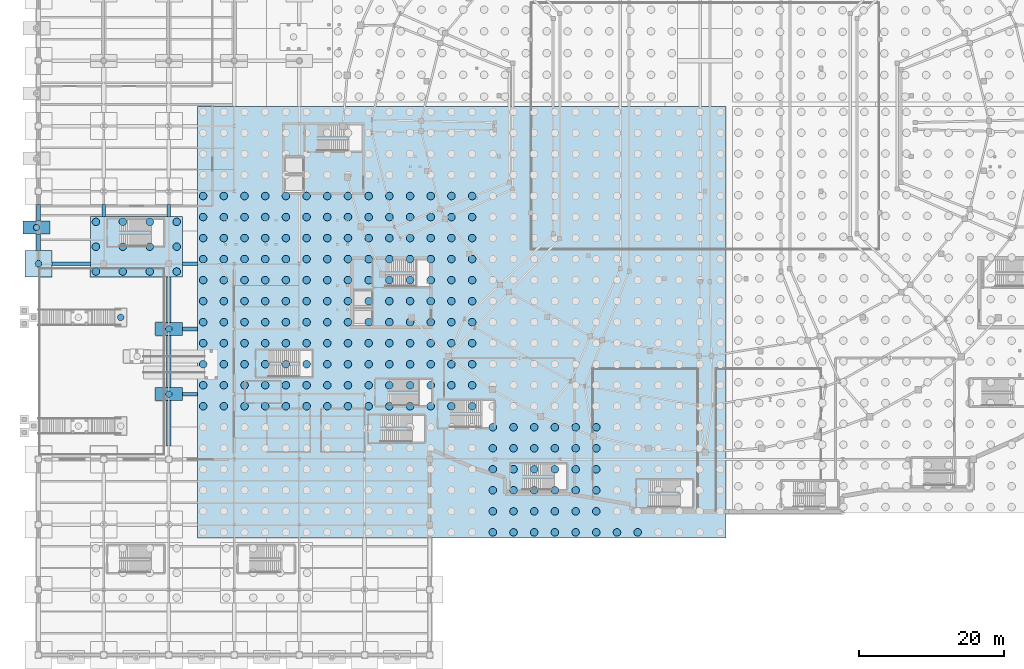
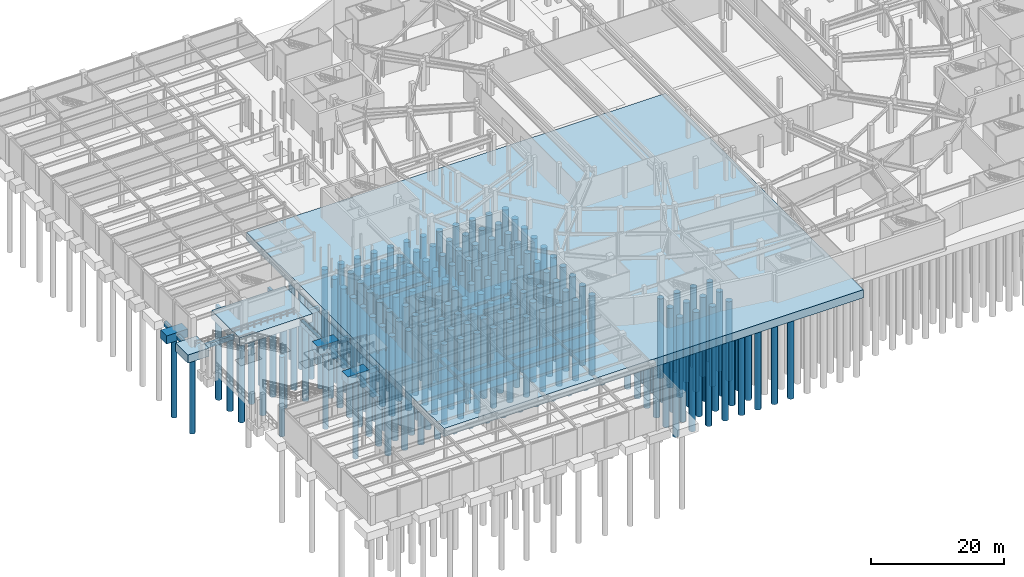
# One storey, part 2 of 56: 209 piles, 17 footings.
"""IFC4 building model written with IfcOpenShell, lengths in metres."""

from ifc_helpers import new_model, si_unit, direction, frame, origin, origin_2d, place, context, subcontext, project, spatial, polyline, rectangle, circle, outline, extrude, material, material_profile, profile_set, type_object, element, save


model = new_model("IFC4")

# Units and contexts
model_context = context("Model", 3, precision=1e-05, world=origin(), true_north=direction((0.0, 1.0)))
body_context = subcontext(model_context, "Body", "Model", "MODEL_VIEW")
ifc_project = project(units=[si_unit("LENGTHUNIT", "METRE"), si_unit("AREAUNIT", "SQUARE_METRE"), si_unit("VOLUMEUNIT", "CUBIC_METRE"), si_unit("PLANEANGLEUNIT", "RADIAN"), si_unit("MASSUNIT", "GRAM", prefix="KILO")], contexts=[model_context])

# Site, building, storey
site_placement = place(None, origin())
site = spatial("IfcSite", under=ifc_project, at=site_placement, CompositionType="ELEMENT")
building_placement = place(site_placement, origin())
building = spatial("IfcBuilding", under=site, at=building_placement, Name="Glasvene Arena", CompositionType="ELEMENT")
storey_placement = place(building_placement, frame((0.0, 0.0, -5.39990234375)))
storey = spatial("IfcBuildingStorey", under=building, at=storey_placement, Name="B1", CompositionType="ELEMENT", Elevation=-5.39990234375)

# Footings
ifc_material = material(Name="Concrete C40/50", Category="concrete")
footing_type_1 = type_object("IfcFootingType", Name="FT-FB-500x800", PredefinedType="FOOTING_BEAM", material=ifc_material)
for number, where, name in (
    (1, (0.0, 56.97509765625, -1.25), "Ground tie beam 0004"),
    (2, (0.0, 61.02490234375, -1.25), "Ground tie beam 0005"),
):
    element("IfcFooting", number, at=place(storey_placement, frame(where)), inside=storey, type_object=footing_type_1, Name=name, PredefinedType="FOOTING_BEAM", context=body_context, shape_type="SweptSolid", body=[
        extrude(outline(polyline([(-0.25, -1.125), (0.25, -1.125), (0.25, 1.125), (-0.25, 1.125), (-0.25, -1.125)])), origin(), (0.0, 0.0, 1.0), 0.7998046875),
    ])
for number, where, name in (
    (3, (9.0, 61.35009765625, -1.25), "Ground tie beam 0019"),
    (4, (18.0, 61.35009765625, -1.25), "Ground tie beam 0031"),
):
    element("IfcFooting", number, at=place(storey_placement, frame(where)), inside=storey, type_object=footing_type_1, Name=name, PredefinedType="FOOTING_BEAM", context=body_context, shape_type="SweptSolid", body=[
        extrude(outline(polyline([(-0.25, -0.800048828125), (0.25, -0.800048828125), (0.25, 0.7998046875), (-0.25, 0.7998046875), (-0.25, -0.800048828125)])), origin(), (0.0, 0.0, 1.0), 0.7998046875),
    ])
for number, where, name in (
    (5, (20.89990234375, 36.0, -1.25), "Ground tie beam 0090"),
    (6, (20.89990234375, 45.0, -1.25), "Ground tie beam 0091"),
):
    element("IfcFooting", number, at=place(storey_placement, frame(where)), inside=storey, type_object=footing_type_1, Name=name, PredefinedType="FOOTING_BEAM", context=body_context, shape_type="SweptSolid", body=[
        extrude(outline(polyline([(-1.0498046875, -0.25), (1.050048828125, -0.25), (1.050048828125, 0.25), (-1.0498046875, 0.25), (-1.0498046875, -0.25)])), origin(), (0.0, 0.0, 1.0), 0.7998046875),
    ])
footing_1_placement = place(storey_placement, frame((4.5, 54.0, -1.25)))
element("IfcFooting", 7, at=footing_1_placement, inside=storey, type_object=footing_type_1, Name="Ground tie beam 0092", PredefinedType="FOOTING_BEAM", context=body_context, shape_type="SweptSolid", body=[
    extrude(outline(polyline([(-2.64990234375, -0.25), (2.64990234375, -0.25), (2.64990234375, 0.25), (-2.64990234375, 0.25), (-2.64990234375, -0.25)])), origin(), (0.0, 0.0, 1.0), 0.7998046875),
])
footing_2_placement = place(storey_placement, frame((20.89990234375, 54.0, -1.25)))
element("IfcFooting", 8, at=footing_2_placement, inside=storey, type_object=footing_type_1, Name="Ground tie beam 0093", PredefinedType="FOOTING_BEAM", context=body_context, shape_type="SweptSolid", body=[
    extrude(outline(polyline([(-1.0498046875, -0.25), (1.050048828125, -0.25), (1.050048828125, 0.25), (-1.0498046875, 0.25), (-1.0498046875, -0.25)])), origin(), (0.0, 0.0, 1.0), 0.7998046875),
])
footing_type_2 = type_object("IfcFootingType", Name="FT-FB-600x900", PredefinedType="FOOTING_BEAM", material=ifc_material)
footing_3_placement = place(storey_placement, frame((18.0, 31.97509765625, -1.35009765625)))
element("IfcFooting", 9, at=footing_3_placement, inside=storey, type_object=footing_type_2, Name="Ground tie beam 0028", PredefinedType="FOOTING_BEAM", context=body_context, shape_type="SweptSolid", body=[
    extrude(outline(polyline([(-0.300048828125, -3.125), (0.300048828125, -3.125), (0.300048828125, 3.125), (-0.300048828125, 3.125), (-0.300048828125, -3.125)])), origin(), (0.0, 0.0, 1.0), 0.89990234375),
])
footing_4_placement = place(storey_placement, frame((18.0, 40.5, -1.35009765625)))
element("IfcFooting", 10, at=footing_4_placement, inside=storey, type_object=footing_type_2, Name="Ground tie beam 0029", PredefinedType="FOOTING_BEAM", context=body_context, shape_type="SweptSolid", body=[
    extrude(outline(polyline([(-0.300048828125, -3.60009765625), (0.300048828125, -3.60009765625), (0.300048828125, 3.60009765625), (-0.300048828125, 3.60009765625), (-0.300048828125, -3.60009765625)])), origin(), (0.0, 0.0, 1.0), 0.89990234375),
])
footing_5_placement = place(storey_placement, frame((18.0, 49.02490234375, -1.35009765625)))
element("IfcFooting", 11, at=footing_5_placement, inside=storey, type_object=footing_type_2, Name="Ground tie beam 0030", PredefinedType="FOOTING_BEAM", context=body_context, shape_type="SweptSolid", body=[
    extrude(outline(polyline([(-0.300048828125, -3.125), (0.300048828125, -3.125), (0.300048828125, 3.125), (-0.300048828125, 3.125), (-0.300048828125, -3.125)])), origin(), (0.0, 0.0, 1.0), 0.89990234375),
])
footing_type_3 = type_object("IfcFootingType", Name="FT-PC-1270x840", PredefinedType="PILE_CAP", material=ifc_material)
footing_6_placement = place(storey_placement, frame((13.5, 56.35009765625, -1.5), z_axis=(0.0, 0.0, 1.0), x_axis=(1.0, 0.0, 0.0)))
element("IfcFooting", 12, at=footing_6_placement, inside=storey, type_object=footing_type_3, Name="Pile cap 035", PredefinedType="PILE_CAP", context=body_context, shape_type="SweptSolid", body=[
    extrude(rectangle(XDim=12.699951171875, YDim=8.39990234375, at=origin_2d()), origin(), (0.0, 0.0, 1.0), 1.5),
])
footing_type_4 = type_object("IfcFootingType", Name="FT-PC-370x180", PredefinedType="PILE_CAP", material=ifc_material)
for number, where, z_axis, x_axis, name in (
    (13, (18.0, 36.0, -1.5), (0.0, 0.0, 1.0), (1.0, 0.0, 0.0), "Pile cap 029"),
    (14, (18.0, 45.0, -1.5), (0.0, 0.0, 1.0), (1.0, 0.0, 0.0), "Pile cap 031"),
    (15, (-0.260009765625, 59.0, -1.5), (0.0, 0.0, 1.0), (1.0, 0.0, 0.0), "Pile cap 038"),
):
    element("IfcFooting", number, at=place(storey_placement, frame(where, z_axis=z_axis, x_axis=x_axis)), inside=storey, type_object=footing_type_4, Name=name, PredefinedType="PILE_CAP", context=body_context, shape_type="SweptSolid", body=[
        extrude(rectangle(XDim=3.699951171875, YDim=1.800048828125, at=origin_2d()), origin(), (0.0, 0.0, 1.0), 1.5),
    ])
footing_type_5 = type_object("IfcFootingType", Name="FT-PC-370x370", PredefinedType="PILE_CAP", material=ifc_material)
footing_7_placement = place(storey_placement, frame((0.0, 54.0, -1.5), z_axis=(0.0, 0.0, 1.0), x_axis=(1.0, 0.0, 0.0)))
element("IfcFooting", 16, at=footing_7_placement, inside=storey, type_object=footing_type_5, Name="Pile cap 034", PredefinedType="PILE_CAP", context=body_context, shape_type="SweptSolid", body=[
    extrude(rectangle(XDim=3.699951171875, YDim=3.699951171875, at=origin_2d()), origin(), (0.0, 0.0, 1.0), 1.5),
])
footing_type_6 = type_object("IfcFootingType", Name="FT-PC-7294x5957", PredefinedType="PILE_CAP", material=ifc_material)
footing_8_placement = place(storey_placement, frame((58.422119140625, 45.93701171875, -1.5), z_axis=(0.0, 0.0, 1.0), x_axis=(1.0, 0.0, 0.0)))
element("IfcFooting", 17, at=footing_8_placement, inside=storey, type_object=footing_type_6, Name="Pile cap 022", PredefinedType="PILE_CAP", context=body_context, shape_type="SweptSolid", body=[
    extrude(rectangle(XDim=72.944091796875, YDim=59.573974609375, at=origin_2d()), origin(), (0.0, 0.0, 1.0), 1.5),
])

# Piles
ifc_material_profile_1 = material_profile(ifc_material, circle(Radius=0.52490234375, at=origin_2d()), Name="BORED PILE 1050")
ifc_profile_set_1 = profile_set([ifc_material_profile_1], Name="Concrete C40/50")
pile_type_1 = type_object("IfcPileType", Name="PL-BP1050", PredefinedType="BORED", material=ifc_profile_set_1)
for number, where, z_axis, x_axis, name in (
    (18, (22.72509765625, 34.332275390625, -1.35009765625), (0.0, 0.0, -1.0), (1.0, 0.0, 0.0), "Bored pile 0050"),
    (19, (22.72509765625, 37.2333984375, -1.35009765625), (0.0, 0.0, -1.0), (1.0, 0.0, 0.0), "Bored pile 0051"),
    (20, (22.72509765625, 40.134521484375, -1.35009765625), (0.0, 0.0, -1.0), (1.0, 0.0, 0.0), "Bored pile 0052"),
    (21, (22.72509765625, 43.035888671875, -1.35009765625), (0.0, 0.0, -1.0), (1.0, 0.0, 0.0), "Bored pile 0053"),
    (22, (22.72509765625, 45.93701171875, -1.35009765625), (0.0, 0.0, -1.0), (1.0, 0.0, 0.0), "Bored pile 0054"),
    (23, (22.72509765625, 48.838134765625, -1.35009765625), (0.0, 0.0, -1.0), (1.0, 0.0, 0.0), "Bored pile 0055"),
    (24, (22.72509765625, 51.739501953125, -1.35009765625), (0.0, 0.0, -1.0), (1.0, 0.0, 0.0), "Bored pile 0056"),
    (25, (22.72509765625, 54.640625, -1.35009765625), (0.0, 0.0, -1.0), (1.0, 0.0, 0.0), "Bored pile 0057"),
    (26, (22.72509765625, 57.541748046875, -1.35009765625), (0.0, 0.0, -1.0), (1.0, 0.0, 0.0), "Bored pile 0058"),
    (27, (22.72509765625, 60.443115234375, -1.35009765625), (0.0, 0.0, -1.0), (1.0, 0.0, 0.0), "Bored pile 0059"),
    (28, (22.72509765625, 63.34423828125, -1.35009765625), (0.0, 0.0, -1.0), (1.0, 0.0, 0.0), "Bored pile 0060"),
    (29, (25.580810546875, 34.332275390625, -1.35009765625), (0.0, 0.0, -1.0), (1.0, 0.0, 0.0), "Bored pile 0071"),
    (30, (25.580810546875, 37.2333984375, -1.35009765625), (0.0, 0.0, -1.0), (1.0, 0.0, 0.0), "Bored pile 0072"),
    (31, (25.580810546875, 40.134521484375, -1.35009765625), (0.0, 0.0, -1.0), (1.0, 0.0, 0.0), "Bored pile 0073"),
    (32, (25.580810546875, 43.035888671875, -1.35009765625), (0.0, 0.0, -1.0), (1.0, 0.0, 0.0), "Bored pile 0074"),
    (33, (25.580810546875, 45.93701171875, -1.35009765625), (0.0, 0.0, -1.0), (1.0, 0.0, 0.0), "Bored pile 0075"),
    (34, (25.580810546875, 48.838134765625, -1.35009765625), (0.0, 0.0, -1.0), (1.0, 0.0, 0.0), "Bored pile 0076"),
    (35, (25.580810546875, 51.739501953125, -1.35009765625), (0.0, 0.0, -1.0), (1.0, 0.0, 0.0), "Bored pile 0077"),
    (36, (25.580810546875, 54.640625, -1.35009765625), (0.0, 0.0, -1.0), (1.0, 0.0, 0.0), "Bored pile 0078"),
    (37, (25.580810546875, 57.541748046875, -1.35009765625), (0.0, 0.0, -1.0), (1.0, 0.0, 0.0), "Bored pile 0079"),
    (38, (25.580810546875, 60.443115234375, -1.35009765625), (0.0, 0.0, -1.0), (1.0, 0.0, 0.0), "Bored pile 0080"),
    (39, (25.580810546875, 63.34423828125, -1.35009765625), (0.0, 0.0, -1.0), (1.0, 0.0, 0.0), "Bored pile 0081"),
    (40, (28.4365234375, 34.332275390625, -1.35009765625), (0.0, 0.0, -1.0), (1.0, 0.0, 0.0), "Bored pile 0092"),
    (41, (28.4365234375, 37.2333984375, -1.35009765625), (0.0, 0.0, -1.0), (1.0, 0.0, 0.0), "Bored pile 0093"),
    (42, (28.4365234375, 40.134521484375, -1.35009765625), (0.0, 0.0, -1.0), (1.0, 0.0, 0.0), "Bored pile 0094"),
    (43, (28.4365234375, 43.035888671875, -1.35009765625), (0.0, 0.0, -1.0), (1.0, 0.0, 0.0), "Bored pile 0095"),
    (44, (28.4365234375, 45.93701171875, -1.35009765625), (0.0, 0.0, -1.0), (1.0, 0.0, 0.0), "Bored pile 0096"),
    (45, (28.4365234375, 48.838134765625, -1.35009765625), (0.0, 0.0, -1.0), (1.0, 0.0, 0.0), "Bored pile 0097"),
    (46, (28.4365234375, 51.739501953125, -1.35009765625), (0.0, 0.0, -1.0), (1.0, 0.0, 0.0), "Bored pile 0098"),
    (47, (28.4365234375, 54.640625, -1.35009765625), (0.0, 0.0, -1.0), (1.0, 0.0, 0.0), "Bored pile 0099"),
    (48, (28.4365234375, 57.541748046875, -1.35009765625), (0.0, 0.0, -1.0), (1.0, 0.0, 0.0), "Bored pile 0100"),
    (49, (28.4365234375, 60.443115234375, -1.35009765625), (0.0, 0.0, -1.0), (1.0, 0.0, 0.0), "Bored pile 0101"),
    (50, (28.4365234375, 63.34423828125, -1.35009765625), (0.0, 0.0, -1.0), (1.0, 0.0, 0.0), "Bored pile 0102"),
    (51, (31.292236328125, 34.332275390625, -1.35009765625), (0.0, 0.0, -1.0), (1.0, 0.0, 0.0), "Bored pile 0113"),
    (52, (31.292236328125, 37.2333984375, -1.35009765625), (0.0, 0.0, -1.0), (1.0, 0.0, 0.0), "Bored pile 0114"),
    (53, (31.292236328125, 40.134521484375, -1.35009765625), (0.0, 0.0, -1.0), (1.0, 0.0, 0.0), "Bored pile 0115"),
    (54, (31.292236328125, 43.035888671875, -1.35009765625), (0.0, 0.0, -1.0), (1.0, 0.0, 0.0), "Bored pile 0116"),
    (55, (31.292236328125, 45.93701171875, -1.35009765625), (0.0, 0.0, -1.0), (1.0, 0.0, 0.0), "Bored pile 0117"),
    (56, (31.292236328125, 48.838134765625, -1.35009765625), (0.0, 0.0, -1.0), (1.0, 0.0, 0.0), "Bored pile 0118"),
    (57, (31.292236328125, 51.739501953125, -1.35009765625), (0.0, 0.0, -1.0), (1.0, 0.0, 0.0), "Bored pile 0119"),
    (58, (31.292236328125, 54.640625, -1.35009765625), (0.0, 0.0, -1.0), (1.0, 0.0, 0.0), "Bored pile 0120"),
    (59, (31.292236328125, 57.541748046875, -1.35009765625), (0.0, 0.0, -1.0), (1.0, 0.0, 0.0), "Bored pile 0121"),
    (60, (31.292236328125, 60.443115234375, -1.35009765625), (0.0, 0.0, -1.0), (1.0, 0.0, 0.0), "Bored pile 0122"),
    (61, (31.292236328125, 63.34423828125, -1.35009765625), (0.0, 0.0, -1.0), (1.0, 0.0, 0.0), "Bored pile 0123"),
    (62, (34.14794921875, 34.332275390625, -1.35009765625), (0.0, 0.0, -1.0), (1.0, 0.0, 0.0), "Bored pile 0134"),
    (63, (34.14794921875, 37.2333984375, -1.35009765625), (0.0, 0.0, -1.0), (1.0, 0.0, 0.0), "Bored pile 0135"),
    (64, (34.14794921875, 40.134521484375, -1.35009765625), (0.0, 0.0, -1.0), (1.0, 0.0, 0.0), "Bored pile 0136"),
    (65, (34.14794921875, 43.035888671875, -1.35009765625), (0.0, 0.0, -1.0), (1.0, 0.0, 0.0), "Bored pile 0137"),
    (66, (34.14794921875, 45.93701171875, -1.35009765625), (0.0, 0.0, -1.0), (1.0, 0.0, 0.0), "Bored pile 0138"),
    (67, (34.14794921875, 48.838134765625, -1.35009765625), (0.0, 0.0, -1.0), (1.0, 0.0, 0.0), "Bored pile 0139"),
    (68, (34.14794921875, 51.739501953125, -1.35009765625), (0.0, 0.0, -1.0), (1.0, 0.0, 0.0), "Bored pile 0140"),
    (69, (34.14794921875, 54.640625, -1.35009765625), (0.0, 0.0, -1.0), (1.0, 0.0, 0.0), "Bored pile 0141"),
    (70, (34.14794921875, 57.541748046875, -1.35009765625), (0.0, 0.0, -1.0), (1.0, 0.0, 0.0), "Bored pile 0142"),
    (71, (34.14794921875, 60.443115234375, -1.35009765625), (0.0, 0.0, -1.0), (1.0, 0.0, 0.0), "Bored pile 0143"),
    (72, (34.14794921875, 63.34423828125, -1.35009765625), (0.0, 0.0, -1.0), (1.0, 0.0, 0.0), "Bored pile 0144"),
    (73, (37.00390625, 34.332275390625, -1.35009765625), (0.0, 0.0, -1.0), (1.0, 0.0, 0.0), "Bored pile 0155"),
    (74, (37.00390625, 37.2333984375, -1.35009765625), (0.0, 0.0, -1.0), (1.0, 0.0, 0.0), "Bored pile 0156"),
    (75, (37.00390625, 40.134521484375, -1.35009765625), (0.0, 0.0, -1.0), (1.0, 0.0, 0.0), "Bored pile 0157"),
    (76, (37.00390625, 43.035888671875, -1.35009765625), (0.0, 0.0, -1.0), (1.0, 0.0, 0.0), "Bored pile 0158"),
    (77, (37.00390625, 45.93701171875, -1.35009765625), (0.0, 0.0, -1.0), (1.0, 0.0, 0.0), "Bored pile 0159"),
    (78, (37.00390625, 48.838134765625, -1.35009765625), (0.0, 0.0, -1.0), (1.0, 0.0, 0.0), "Bored pile 0160"),
    (79, (37.00390625, 51.739501953125, -1.35009765625), (0.0, 0.0, -1.0), (1.0, 0.0, 0.0), "Bored pile 0161"),
    (80, (37.00390625, 54.640625, -1.35009765625), (0.0, 0.0, -1.0), (1.0, 0.0, 0.0), "Bored pile 0162"),
    (81, (37.00390625, 57.541748046875, -1.35009765625), (0.0, 0.0, -1.0), (1.0, 0.0, 0.0), "Bored pile 0163"),
    (82, (37.00390625, 60.443115234375, -1.35009765625), (0.0, 0.0, -1.0), (1.0, 0.0, 0.0), "Bored pile 0164"),
    (83, (37.00390625, 63.34423828125, -1.35009765625), (0.0, 0.0, -1.0), (1.0, 0.0, 0.0), "Bored pile 0165"),
    (84, (39.859619140625, 34.332275390625, -1.35009765625), (0.0, 0.0, -1.0), (1.0, 0.0, 0.0), "Bored pile 0176"),
    (85, (39.859619140625, 37.2333984375, -1.35009765625), (0.0, 0.0, -1.0), (1.0, 0.0, 0.0), "Bored pile 0177"),
    (86, (39.859619140625, 40.134521484375, -1.35009765625), (0.0, 0.0, -1.0), (1.0, 0.0, 0.0), "Bored pile 0178"),
    (87, (39.859619140625, 43.035888671875, -1.35009765625), (0.0, 0.0, -1.0), (1.0, 0.0, 0.0), "Bored pile 0179"),
    (88, (39.859619140625, 45.93701171875, -1.35009765625), (0.0, 0.0, -1.0), (1.0, 0.0, 0.0), "Bored pile 0180"),
    (89, (39.859619140625, 48.838134765625, -1.35009765625), (0.0, 0.0, -1.0), (1.0, 0.0, 0.0), "Bored pile 0181"),
    (90, (39.859619140625, 51.739501953125, -1.35009765625), (0.0, 0.0, -1.0), (1.0, 0.0, 0.0), "Bored pile 0182"),
    (91, (39.859619140625, 54.640625, -1.35009765625), (0.0, 0.0, -1.0), (1.0, 0.0, 0.0), "Bored pile 0183"),
    (92, (39.859619140625, 57.541748046875, -1.35009765625), (0.0, 0.0, -1.0), (1.0, 0.0, 0.0), "Bored pile 0184"),
    (93, (39.859619140625, 60.443115234375, -1.35009765625), (0.0, 0.0, -1.0), (1.0, 0.0, 0.0), "Bored pile 0185"),
    (94, (39.859619140625, 63.34423828125, -1.35009765625), (0.0, 0.0, -1.0), (1.0, 0.0, 0.0), "Bored pile 0186"),
    (95, (42.71533203125, 34.332275390625, -1.35009765625), (0.0, 0.0, -1.0), (1.0, 0.0, 0.0), "Bored pile 0197"),
    (96, (42.71533203125, 37.2333984375, -1.35009765625), (0.0, 0.0, -1.0), (1.0, 0.0, 0.0), "Bored pile 0198"),
    (97, (42.71533203125, 40.134521484375, -1.35009765625), (0.0, 0.0, -1.0), (1.0, 0.0, 0.0), "Bored pile 0199"),
    (98, (42.71533203125, 43.035888671875, -1.35009765625), (0.0, 0.0, -1.0), (1.0, 0.0, 0.0), "Bored pile 0200"),
    (99, (42.71533203125, 45.93701171875, -1.35009765625), (0.0, 0.0, -1.0), (1.0, 0.0, 0.0), "Bored pile 0201"),
    (100, (42.71533203125, 48.838134765625, -1.35009765625), (0.0, 0.0, -1.0), (1.0, 0.0, 0.0), "Bored pile 0202"),
    (101, (42.71533203125, 51.739501953125, -1.35009765625), (0.0, 0.0, -1.0), (1.0, 0.0, 0.0), "Bored pile 0203"),
    (102, (42.71533203125, 54.640625, -1.35009765625), (0.0, 0.0, -1.0), (1.0, 0.0, 0.0), "Bored pile 0204"),
    (103, (42.71533203125, 57.541748046875, -1.35009765625), (0.0, 0.0, -1.0), (1.0, 0.0, 0.0), "Bored pile 0205"),
    (104, (42.71533203125, 60.443115234375, -1.35009765625), (0.0, 0.0, -1.0), (1.0, 0.0, 0.0), "Bored pile 0206"),
    (105, (42.71533203125, 63.34423828125, -1.35009765625), (0.0, 0.0, -1.0), (1.0, 0.0, 0.0), "Bored pile 0207"),
    (106, (45.571044921875, 34.332275390625, -1.35009765625), (0.0, 0.0, -1.0), (1.0, 0.0, 0.0), "Bored pile 0218"),
    (107, (45.571044921875, 37.2333984375, -1.35009765625), (0.0, 0.0, -1.0), (1.0, 0.0, 0.0), "Bored pile 0219"),
    (108, (45.571044921875, 40.134521484375, -1.35009765625), (0.0, 0.0, -1.0), (1.0, 0.0, 0.0), "Bored pile 0220"),
    (109, (45.571044921875, 43.035888671875, -1.35009765625), (0.0, 0.0, -1.0), (1.0, 0.0, 0.0), "Bored pile 0221"),
    (110, (45.571044921875, 45.93701171875, -1.35009765625), (0.0, 0.0, -1.0), (1.0, 0.0, 0.0), "Bored pile 0222"),
    (111, (45.571044921875, 48.838134765625, -1.35009765625), (0.0, 0.0, -1.0), (1.0, 0.0, 0.0), "Bored pile 0223"),
    (112, (45.571044921875, 51.739501953125, -1.35009765625), (0.0, 0.0, -1.0), (1.0, 0.0, 0.0), "Bored pile 0224"),
    (113, (45.571044921875, 54.640625, -1.35009765625), (0.0, 0.0, -1.0), (1.0, 0.0, 0.0), "Bored pile 0225"),
    (114, (45.571044921875, 57.541748046875, -1.35009765625), (0.0, 0.0, -1.0), (1.0, 0.0, 0.0), "Bored pile 0226"),
    (115, (45.571044921875, 60.443115234375, -1.35009765625), (0.0, 0.0, -1.0), (1.0, 0.0, 0.0), "Bored pile 0227"),
    (116, (45.571044921875, 63.34423828125, -1.35009765625), (0.0, 0.0, -1.0), (1.0, 0.0, 0.0), "Bored pile 0228"),
    (117, (48.4267578125, 34.332275390625, -1.35009765625), (0.0, 0.0, -1.0), (1.0, 0.0, 0.0), "Bored pile 0239"),
    (118, (48.4267578125, 37.2333984375, -1.35009765625), (0.0, 0.0, -1.0), (1.0, 0.0, 0.0), "Bored pile 0240"),
    (119, (48.4267578125, 40.134521484375, -1.35009765625), (0.0, 0.0, -1.0), (1.0, 0.0, 0.0), "Bored pile 0241"),
    (120, (48.4267578125, 43.035888671875, -1.35009765625), (0.0, 0.0, -1.0), (1.0, 0.0, 0.0), "Bored pile 0242"),
    (121, (48.4267578125, 45.93701171875, -1.35009765625), (0.0, 0.0, -1.0), (1.0, 0.0, 0.0), "Bored pile 0243"),
    (122, (48.4267578125, 48.838134765625, -1.35009765625), (0.0, 0.0, -1.0), (1.0, 0.0, 0.0), "Bored pile 0244"),
    (123, (48.4267578125, 51.739501953125, -1.35009765625), (0.0, 0.0, -1.0), (1.0, 0.0, 0.0), "Bored pile 0245"),
    (124, (48.4267578125, 54.640625, -1.35009765625), (0.0, 0.0, -1.0), (1.0, 0.0, 0.0), "Bored pile 0246"),
    (125, (48.4267578125, 57.541748046875, -1.35009765625), (0.0, 0.0, -1.0), (1.0, 0.0, 0.0), "Bored pile 0247"),
    (126, (48.4267578125, 60.443115234375, -1.35009765625), (0.0, 0.0, -1.0), (1.0, 0.0, 0.0), "Bored pile 0248"),
    (127, (48.4267578125, 63.34423828125, -1.35009765625), (0.0, 0.0, -1.0), (1.0, 0.0, 0.0), "Bored pile 0249"),
    (128, (51.28271484375, 34.332275390625, -1.35009765625), (0.0, 0.0, -1.0), (1.0, 0.0, 0.0), "Bored pile 0260"),
    (129, (51.28271484375, 37.2333984375, -1.35009765625), (0.0, 0.0, -1.0), (1.0, 0.0, 0.0), "Bored pile 0261"),
    (130, (51.28271484375, 40.134521484375, -1.35009765625), (0.0, 0.0, -1.0), (1.0, 0.0, 0.0), "Bored pile 0262"),
    (131, (51.28271484375, 43.035888671875, -1.35009765625), (0.0, 0.0, -1.0), (1.0, 0.0, 0.0), "Bored pile 0263"),
    (132, (51.28271484375, 45.93701171875, -1.35009765625), (0.0, 0.0, -1.0), (1.0, 0.0, 0.0), "Bored pile 0264"),
    (133, (51.28271484375, 48.838134765625, -1.35009765625), (0.0, 0.0, -1.0), (1.0, 0.0, 0.0), "Bored pile 0265"),
    (134, (51.28271484375, 51.739501953125, -1.35009765625), (0.0, 0.0, -1.0), (1.0, 0.0, 0.0), "Bored pile 0266"),
    (135, (51.28271484375, 54.640625, -1.35009765625), (0.0, 0.0, -1.0), (1.0, 0.0, 0.0), "Bored pile 0267"),
    (136, (51.28271484375, 57.541748046875, -1.35009765625), (0.0, 0.0, -1.0), (1.0, 0.0, 0.0), "Bored pile 0268"),
    (137, (51.28271484375, 60.443115234375, -1.35009765625), (0.0, 0.0, -1.0), (1.0, 0.0, 0.0), "Bored pile 0269"),
    (138, (51.28271484375, 63.34423828125, -1.35009765625), (0.0, 0.0, -1.0), (1.0, 0.0, 0.0), "Bored pile 0270"),
    (139, (54.138427734375, 34.332275390625, -1.35009765625), (0.0, 0.0, -1.0), (1.0, 0.0, 0.0), "Bored pile 0281"),
    (140, (54.138427734375, 37.2333984375, -1.35009765625), (0.0, 0.0, -1.0), (1.0, 0.0, 0.0), "Bored pile 0282"),
    (141, (54.138427734375, 40.134521484375, -1.35009765625), (0.0, 0.0, -1.0), (1.0, 0.0, 0.0), "Bored pile 0283"),
    (142, (54.138427734375, 43.035888671875, -1.35009765625), (0.0, 0.0, -1.0), (1.0, 0.0, 0.0), "Bored pile 0284"),
    (143, (54.138427734375, 45.93701171875, -1.35009765625), (0.0, 0.0, -1.0), (1.0, 0.0, 0.0), "Bored pile 0285"),
    (144, (54.138427734375, 48.838134765625, -1.35009765625), (0.0, 0.0, -1.0), (1.0, 0.0, 0.0), "Bored pile 0286"),
    (145, (54.138427734375, 51.739501953125, -1.35009765625), (0.0, 0.0, -1.0), (1.0, 0.0, 0.0), "Bored pile 0287"),
    (146, (54.138427734375, 54.640625, -1.35009765625), (0.0, 0.0, -1.0), (1.0, 0.0, 0.0), "Bored pile 0288"),
    (147, (54.138427734375, 57.541748046875, -1.35009765625), (0.0, 0.0, -1.0), (1.0, 0.0, 0.0), "Bored pile 0289"),
    (148, (54.138427734375, 60.443115234375, -1.35009765625), (0.0, 0.0, -1.0), (1.0, 0.0, 0.0), "Bored pile 0290"),
    (149, (54.138427734375, 63.34423828125, -1.35009765625), (0.0, 0.0, -1.0), (1.0, 0.0, 0.0), "Bored pile 0291"),
    (150, (56.994140625, 34.332275390625, -1.35009765625), (0.0, 0.0, -1.0), (1.0, 0.0, 0.0), "Bored pile 0302"),
    (151, (56.994140625, 37.2333984375, -1.35009765625), (0.0, 0.0, -1.0), (1.0, 0.0, 0.0), "Bored pile 0303"),
    (152, (56.994140625, 40.134521484375, -1.35009765625), (0.0, 0.0, -1.0), (1.0, 0.0, 0.0), "Bored pile 0304"),
    (153, (56.994140625, 43.035888671875, -1.35009765625), (0.0, 0.0, -1.0), (1.0, 0.0, 0.0), "Bored pile 0305"),
    (154, (56.994140625, 45.93701171875, -1.35009765625), (0.0, 0.0, -1.0), (1.0, 0.0, 0.0), "Bored pile 0306"),
    (155, (56.994140625, 48.838134765625, -1.35009765625), (0.0, 0.0, -1.0), (1.0, 0.0, 0.0), "Bored pile 0307"),
    (156, (56.994140625, 51.739501953125, -1.35009765625), (0.0, 0.0, -1.0), (1.0, 0.0, 0.0), "Bored pile 0308"),
    (157, (56.994140625, 54.640625, -1.35009765625), (0.0, 0.0, -1.0), (1.0, 0.0, 0.0), "Bored pile 0309"),
    (158, (56.994140625, 57.541748046875, -1.35009765625), (0.0, 0.0, -1.0), (1.0, 0.0, 0.0), "Bored pile 0310"),
    (159, (56.994140625, 60.443115234375, -1.35009765625), (0.0, 0.0, -1.0), (1.0, 0.0, 0.0), "Bored pile 0311"),
    (160, (56.994140625, 63.34423828125, -1.35009765625), (0.0, 0.0, -1.0), (1.0, 0.0, 0.0), "Bored pile 0312"),
    (161, (59.849853515625, 34.332275390625, -1.35009765625), (0.0, 0.0, -1.0), (1.0, 0.0, 0.0), "Bored pile 0323"),
    (162, (59.849853515625, 37.2333984375, -1.35009765625), (0.0, 0.0, -1.0), (1.0, 0.0, 0.0), "Bored pile 0324"),
    (163, (59.849853515625, 40.134521484375, -1.35009765625), (0.0, 0.0, -1.0), (1.0, 0.0, 0.0), "Bored pile 0325"),
    (164, (59.849853515625, 43.035888671875, -1.35009765625), (0.0, 0.0, -1.0), (1.0, 0.0, 0.0), "Bored pile 0326"),
    (165, (59.849853515625, 45.93701171875, -1.35009765625), (0.0, 0.0, -1.0), (1.0, 0.0, 0.0), "Bored pile 0327"),
    (166, (59.849853515625, 48.838134765625, -1.35009765625), (0.0, 0.0, -1.0), (1.0, 0.0, 0.0), "Bored pile 0328"),
    (167, (59.849853515625, 51.739501953125, -1.35009765625), (0.0, 0.0, -1.0), (1.0, 0.0, 0.0), "Bored pile 0329"),
    (168, (59.849853515625, 54.640625, -1.35009765625), (0.0, 0.0, -1.0), (1.0, 0.0, 0.0), "Bored pile 0330"),
    (169, (59.849853515625, 57.541748046875, -1.35009765625), (0.0, 0.0, -1.0), (1.0, 0.0, 0.0), "Bored pile 0331"),
    (170, (59.849853515625, 60.443115234375, -1.35009765625), (0.0, 0.0, -1.0), (1.0, 0.0, 0.0), "Bored pile 0332"),
    (171, (59.849853515625, 63.34423828125, -1.35009765625), (0.0, 0.0, -1.0), (1.0, 0.0, 0.0), "Bored pile 0333"),
    (172, (62.70556640625, 16.925048828125, -1.35009765625), (0.0, 0.0, -1.0), (1.0, 0.0, 0.0), "Bored pile 0338"),
    (173, (62.70556640625, 19.826171875, -1.35009765625), (0.0, 0.0, -1.0), (1.0, 0.0, 0.0), "Bored pile 0339"),
    (174, (62.70556640625, 22.727294921875, -1.35009765625), (0.0, 0.0, -1.0), (1.0, 0.0, 0.0), "Bored pile 0340"),
    (175, (62.70556640625, 25.628662109375, -1.35009765625), (0.0, 0.0, -1.0), (1.0, 0.0, 0.0), "Bored pile 0341"),
    (176, (62.70556640625, 28.52978515625, -1.35009765625), (0.0, 0.0, -1.0), (1.0, 0.0, 0.0), "Bored pile 0342"),
    (177, (62.70556640625, 31.430908203125, -1.35009765625), (0.0, 0.0, -1.0), (1.0, 0.0, 0.0), "Bored pile 0343"),
    (178, (65.561279296875, 16.925048828125, -1.35009765625), (0.0, 0.0, -1.0), (1.0, 0.0, 0.0), "Bored pile 0359"),
    (179, (65.561279296875, 19.826171875, -1.35009765625), (0.0, 0.0, -1.0), (1.0, 0.0, 0.0), "Bored pile 0360"),
    (180, (65.561279296875, 22.727294921875, -1.35009765625), (0.0, 0.0, -1.0), (1.0, 0.0, 0.0), "Bored pile 0361"),
    (181, (65.561279296875, 25.628662109375, -1.35009765625), (0.0, 0.0, -1.0), (1.0, 0.0, 0.0), "Bored pile 0362"),
    (182, (65.561279296875, 28.52978515625, -1.35009765625), (0.0, 0.0, -1.0), (1.0, 0.0, 0.0), "Bored pile 0363"),
    (183, (65.561279296875, 31.430908203125, -1.35009765625), (0.0, 0.0, -1.0), (1.0, 0.0, 0.0), "Bored pile 0364"),
    (184, (68.417236328125, 16.925048828125, -1.35009765625), (0.0, 0.0, -1.0), (1.0, 0.0, 0.0), "Bored pile 0380"),
    (185, (68.417236328125, 19.826171875, -1.35009765625), (0.0, 0.0, -1.0), (1.0, 0.0, 0.0), "Bored pile 0381"),
    (186, (68.417236328125, 22.727294921875, -1.35009765625), (0.0, 0.0, -1.0), (1.0, 0.0, 0.0), "Bored pile 0382"),
    (187, (68.417236328125, 25.628662109375, -1.35009765625), (0.0, 0.0, -1.0), (1.0, 0.0, 0.0), "Bored pile 0383"),
    (188, (68.417236328125, 28.52978515625, -1.35009765625), (0.0, 0.0, -1.0), (1.0, 0.0, 0.0), "Bored pile 0384"),
    (189, (68.417236328125, 31.430908203125, -1.35009765625), (0.0, 0.0, -1.0), (1.0, 0.0, 0.0), "Bored pile 0385"),
    (190, (71.27294921875, 16.925048828125, -1.35009765625), (0.0, 0.0, -1.0), (1.0, 0.0, 0.0), "Bored pile 0401"),
    (191, (71.27294921875, 19.826171875, -1.35009765625), (0.0, 0.0, -1.0), (1.0, 0.0, 0.0), "Bored pile 0402"),
    (192, (71.27294921875, 22.727294921875, -1.35009765625), (0.0, 0.0, -1.0), (1.0, 0.0, 0.0), "Bored pile 0403"),
    (193, (71.27294921875, 25.628662109375, -1.35009765625), (0.0, 0.0, -1.0), (1.0, 0.0, 0.0), "Bored pile 0404"),
    (194, (71.27294921875, 28.52978515625, -1.35009765625), (0.0, 0.0, -1.0), (1.0, 0.0, 0.0), "Bored pile 0405"),
    (195, (71.27294921875, 31.430908203125, -1.35009765625), (0.0, 0.0, -1.0), (1.0, 0.0, 0.0), "Bored pile 0406"),
    (196, (74.128662109375, 16.925048828125, -1.35009765625), (0.0, 0.0, -1.0), (1.0, 0.0, 0.0), "Bored pile 0422"),
    (197, (74.128662109375, 19.826171875, -1.35009765625), (0.0, 0.0, -1.0), (1.0, 0.0, 0.0), "Bored pile 0423"),
    (198, (74.128662109375, 22.727294921875, -1.35009765625), (0.0, 0.0, -1.0), (1.0, 0.0, 0.0), "Bored pile 0424"),
    (199, (74.128662109375, 25.628662109375, -1.35009765625), (0.0, 0.0, -1.0), (1.0, 0.0, 0.0), "Bored pile 0425"),
    (200, (74.128662109375, 28.52978515625, -1.35009765625), (0.0, 0.0, -1.0), (1.0, 0.0, 0.0), "Bored pile 0426"),
    (201, (74.128662109375, 31.430908203125, -1.35009765625), (0.0, 0.0, -1.0), (1.0, 0.0, 0.0), "Bored pile 0427"),
    (202, (76.984375, 16.925048828125, -1.35009765625), (0.0, 0.0, -1.0), (1.0, 0.0, 0.0), "Bored pile 0443"),
    (203, (76.984375, 19.826171875, -1.35009765625), (0.0, 0.0, -1.0), (1.0, 0.0, 0.0), "Bored pile 0444"),
    (204, (76.984375, 22.727294921875, -1.35009765625), (0.0, 0.0, -1.0), (1.0, 0.0, 0.0), "Bored pile 0445"),
    (205, (76.984375, 25.628662109375, -1.35009765625), (0.0, 0.0, -1.0), (1.0, 0.0, 0.0), "Bored pile 0446"),
    (206, (76.984375, 28.52978515625, -1.35009765625), (0.0, 0.0, -1.0), (1.0, 0.0, 0.0), "Bored pile 0447"),
    (207, (76.984375, 31.430908203125, -1.35009765625), (0.0, 0.0, -1.0), (1.0, 0.0, 0.0), "Bored pile 0448"),
    (208, (79.840087890625, 16.925048828125, -1.35009765625), (0.0, 0.0, -1.0), (1.0, 0.0, 0.0), "Bored pile 0464"),
    (209, (82.696044921875, 16.925048828125, -1.35009765625), (0.0, 0.0, -1.0), (1.0, 0.0, 0.0), "Bored pile 0485"),
    (210, (7.925048828125, 52.925048828125, -1.35009765625), (0.0, 0.0, -1.0), (1.0, 0.0, 0.0), "Bored pile 1061"),
    (211, (7.925048828125, 56.35009765625, -1.35009765625), (0.0, 0.0, -1.0), (1.0, 0.0, 0.0), "Bored pile 1062"),
    (212, (7.925048828125, 59.77490234375, -1.35009765625), (0.0, 0.0, -1.0), (1.0, 0.0, 0.0), "Bored pile 1063"),
    (213, (11.6416015625, 52.925048828125, -1.35009765625), (0.0, 0.0, -1.0), (1.0, 0.0, 0.0), "Bored pile 1064"),
    (214, (11.6416015625, 56.35009765625, -1.35009765625), (0.0, 0.0, -1.0), (1.0, 0.0, 0.0), "Bored pile 1065"),
    (215, (11.6416015625, 59.77490234375, -1.35009765625), (0.0, 0.0, -1.0), (1.0, 0.0, 0.0), "Bored pile 1066"),
    (216, (15.3583984375, 52.925048828125, -1.35009765625), (0.0, 0.0, -1.0), (1.0, 0.0, 0.0), "Bored pile 1067"),
    (217, (15.3583984375, 56.35009765625, -1.35009765625), (0.0, 0.0, -1.0), (1.0, 0.0, 0.0), "Bored pile 1068"),
    (218, (15.3583984375, 59.77490234375, -1.35009765625), (0.0, 0.0, -1.0), (1.0, 0.0, 0.0), "Bored pile 1069"),
    (219, (19.074951171875, 52.925048828125, -1.35009765625), (0.0, 0.0, -1.0), (1.0, 0.0, 0.0), "Bored pile 1070"),
    (220, (19.074951171875, 56.35009765625, -1.35009765625), (0.0, 0.0, -1.0), (1.0, 0.0, 0.0), "Bored pile 1071"),
    (221, (19.074951171875, 59.77490234375, -1.35009765625), (0.0, 0.0, -1.0), (1.0, 0.0, 0.0), "Bored pile 1072"),
):
    element("IfcPile", number, at=place(storey_placement, frame(where, z_axis=z_axis, x_axis=x_axis)), inside=storey, type_object=pile_type_1, Name=name, PredefinedType="BORED", context=body_context, shape_type="SweptSolid", body=[
        extrude(circle(Radius=0.52490234375, at=origin_2d()), origin(), (0.0, 0.0, 1.0), 14.64990234375),
    ])
ifc_material_profile_2 = material_profile(ifc_material, circle(Radius=0.449951171875, at=origin_2d()), Name="BORED PILE 900")
ifc_profile_set_2 = profile_set([ifc_material_profile_2], Name="Concrete C40/50")
pile_type_2 = type_object("IfcPileType", Name="PL-BP900", PredefinedType="BORED", material=ifc_profile_set_2)
for number, where, z_axis, x_axis, name in (
    (222, (18.0, 36.0, -1.35009765625), (0.0, 0.0, -1.0), (1.0, 0.0, 0.0), "Bored pile 1055"),
    (223, (18.0, 45.0, -1.35009765625), (0.0, 0.0, -1.0), (1.0, 0.0, 0.0), "Bored pile 1057"),
    (224, (11.35009765625, 46.60009765625, -1.35009765625), (0.0, 0.0, -1.0), (1.0, 0.0, 0.0), "Bored pile 1058"),
    (225, (0.0, 54.0, -1.35009765625), (0.0, 0.0, -1.0), (1.0, 0.0, 0.0), "Bored pile 1060"),
    (226, (-0.260009765625, 59.0, -1.35009765625), (0.0, 0.0, -1.0), (1.0, 0.0, 0.0), "Bored pile 1075"),
):
    element("IfcPile", number, at=place(storey_placement, frame(where, z_axis=z_axis, x_axis=x_axis)), inside=storey, type_object=pile_type_2, Name=name, PredefinedType="BORED", context=body_context, shape_type="SweptSolid", body=[
        extrude(circle(Radius=0.449951171875, at=origin_2d()), origin(), (0.0, 0.0, 1.0), 14.64990234375),
    ])

save(model, "model.ifc")
